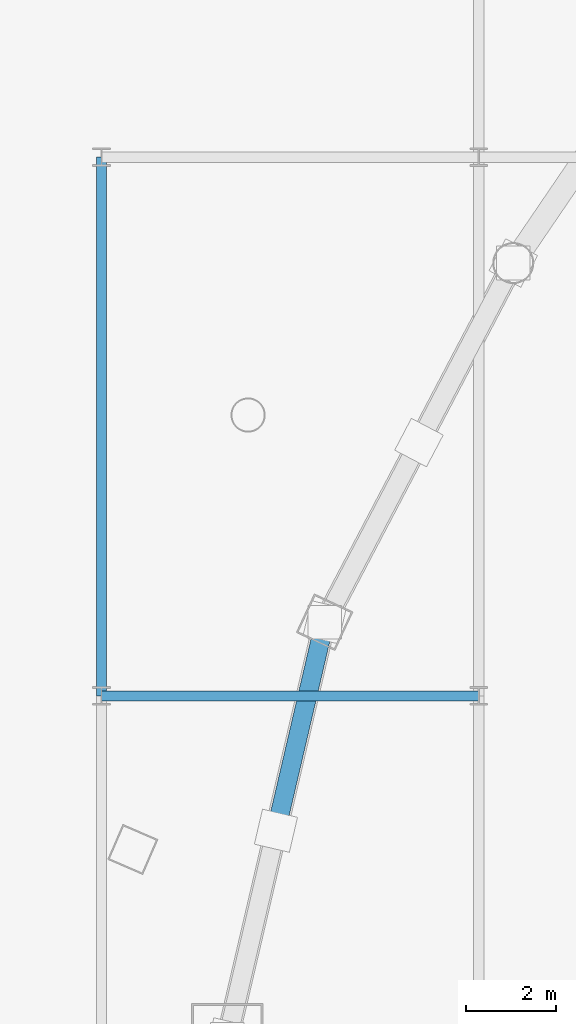
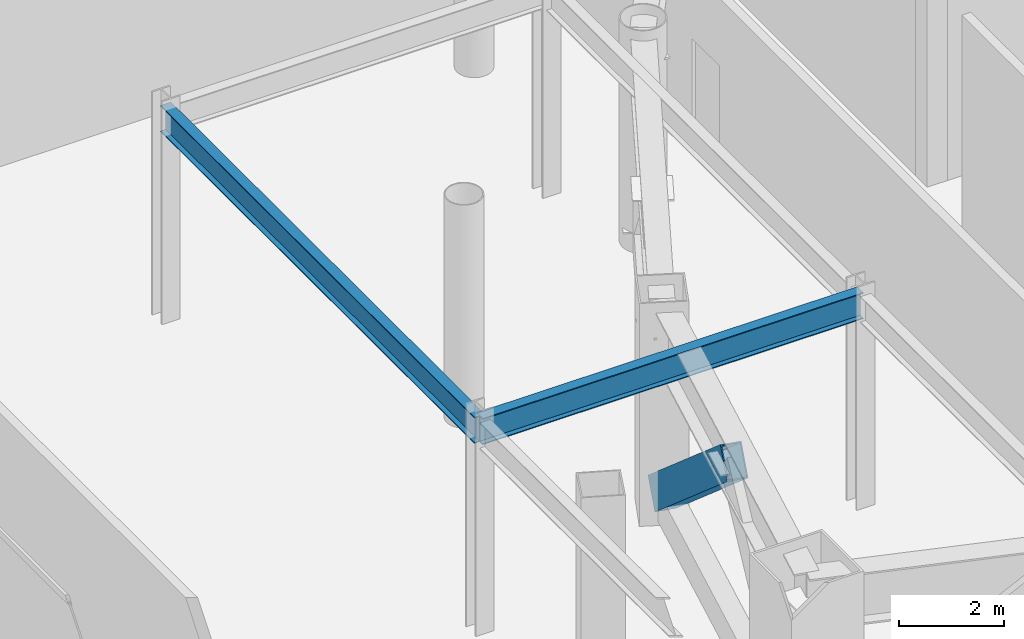
# One storey, part 9 of 43: 2 beams, 1 member.
"""IFC4 building model written with IfcOpenShell, lengths in metres."""

from ifc_helpers import new_model, si_unit, direction, frame, origin, origin_2d, place, context, subcontext, project, spatial, hollow_rectangle, i_section, extrude, material, material_profile, profile_set, type_object, element, save


model = new_model("IFC4")

# Units and contexts
model_context = context("Model", 3, precision=1e-05, world=origin(), true_north=direction((0.0, 1.0)))
body_context = subcontext(model_context, "Body", "Model", "MODEL_VIEW")
ifc_project = project(units=[si_unit("LENGTHUNIT", "METRE"), si_unit("AREAUNIT", "SQUARE_METRE"), si_unit("VOLUMEUNIT", "CUBIC_METRE"), si_unit("PLANEANGLEUNIT", "RADIAN"), si_unit("MASSUNIT", "GRAM", prefix="KILO")], contexts=[model_context])

# Site, building, storey
site_placement = place(None, origin())
site = spatial("IfcSite", under=ifc_project, at=site_placement, CompositionType="ELEMENT")
building_placement = place(site_placement, origin())
building = spatial("IfcBuilding", under=site, at=building_placement, Name="Orvanel Arch Residences", CompositionType="ELEMENT")
storey_placement = place(building_placement, frame((0.0, 0.0, 18.39990234375)))
storey = spatial("IfcBuildingStorey", under=building, at=storey_placement, Name="L04", CompositionType="ELEMENT", Elevation=18.39990234375)

# Beams
ifc_material_1 = material(Name="Structural steel AS/NZS 3679.1 Grade 300 (300 MPa)", Category="steel")
ifc_material_profile_1 = material_profile(ifc_material_1, i_section(OverallWidth=0.22900390625, OverallDepth=0.612060546875, WebThickness=0.011962890625, FlangeThickness=0.01953125, at=origin_2d()), Name="610UB125")
ifc_profile_set_1 = profile_set([ifc_material_profile_1], Name="Structural steel AS/NZS 3679.1 Grade 300 (300 MPa)")
beam_type = type_object("IfcBeamType", Name="BG-610UB", PredefinedType="BEAM", material=ifc_profile_set_1)
beam_1_placement = place(storey_placement, frame((11.39990234375, 18.0, 4.654052734375), z_axis=(1.0, 0.0, 0.0), x_axis=(0.0, 1.0, 0.0)))
element("IfcBeam", 1, at=beam_1_placement, inside=storey, type_object=beam_type, Name="L04 BG-610UB beam", PredefinedType="BEAM", context=body_context, shape_type="SweptSolid", body=[
    extrude(i_section(OverallWidth=0.22900390625, OverallDepth=0.612060546875, WebThickness=0.011962890625, FlangeThickness=0.01953125, at=origin_2d()), origin(), (0.0, 0.0, 1.0), 8.400146484375),
])
beam_2_placement = place(storey_placement, frame((11.39990234375, 18.0, 4.654052734375), z_axis=(0.0, 1.0, 0.0), x_axis=(-1.0, 0.0, 0.0)))
element("IfcBeam", 2, at=beam_2_placement, inside=storey, type_object=beam_type, Name="L04 North-South Podium Girder XW11-M", PredefinedType="BEAM", context=body_context, shape_type="SweptSolid", body=[
    extrude(i_section(OverallWidth=0.22900390625, OverallDepth=0.612060546875, WebThickness=0.011962890625, FlangeThickness=0.01953125, at=origin_2d()), origin(), (0.0, 0.0, 1.0), 12.0),
])

# Member
ifc_material_2 = material(Name="Structural steel AS/NZS 3678 Grade 350", Category="steel")
ifc_material_profile_2 = material_profile(ifc_material_2, hollow_rectangle(XDim=0.419921875, YDim=0.719970703125, WallThickness=0.02490234375, at=origin_2d()), Name="RHS720x420x25")
ifc_profile_set_2 = profile_set([ifc_material_profile_2], Name="Structural steel AS/NZS 3678 Grade 350")
member_type = type_object("IfcMemberType", Name="BR-720RHS", PredefinedType="BRACE", material=ifc_profile_set_2)
member_placement = place(storey_placement, frame((16.366943359375, 19.64208984375, 0.4501953125), z_axis=(-0.17575614743, -0.753138842569, 0.633949257003), x_axis=(0.973834413485, -0.227258740454, 0.0)))
element("IfcMember", 3, at=member_placement, inside=storey, type_object=member_type, Name="L04 Transfer Truss Chevron Web 00.1", PredefinedType="BRACE", context=body_context, shape_type="SweptSolid", body=[
    extrude(hollow_rectangle(XDim=0.419921875, YDim=0.719970703125, WallThickness=0.02490234375, at=origin_2d()), origin(), (0.0, 0.0, 1.0), 6.16748046875),
])

save(model, "model.ifc")
